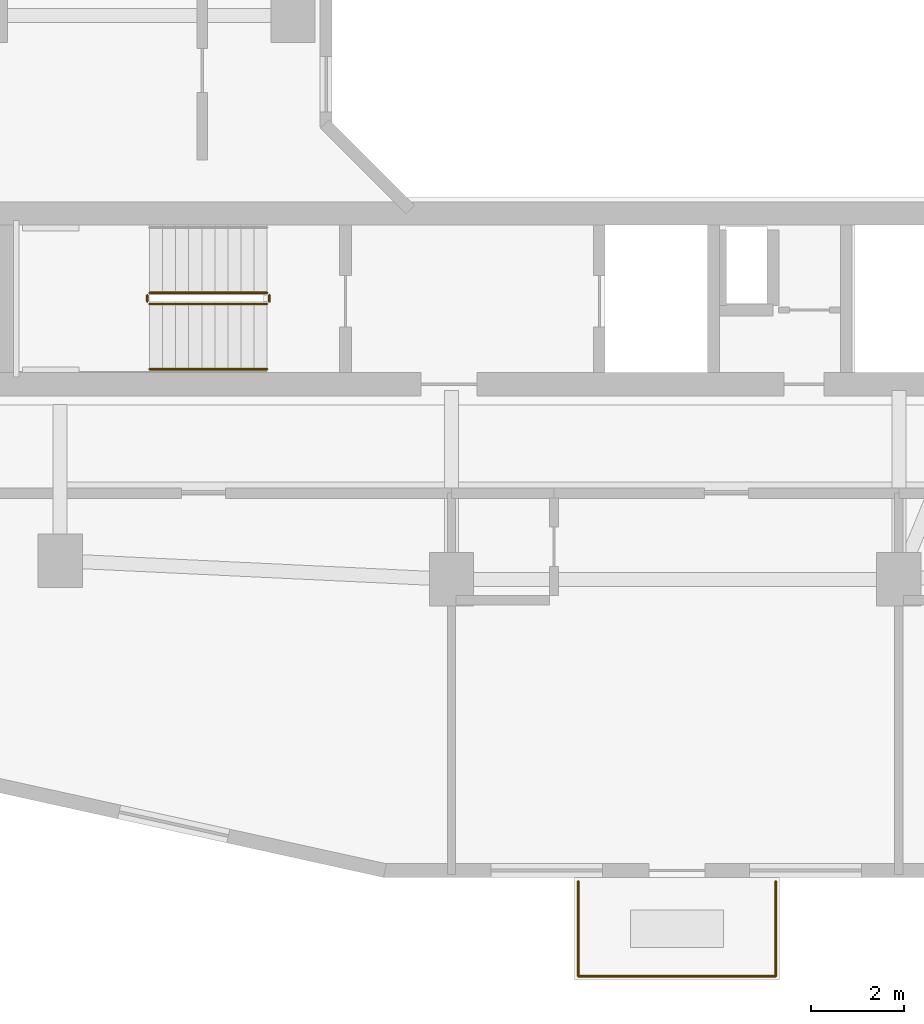
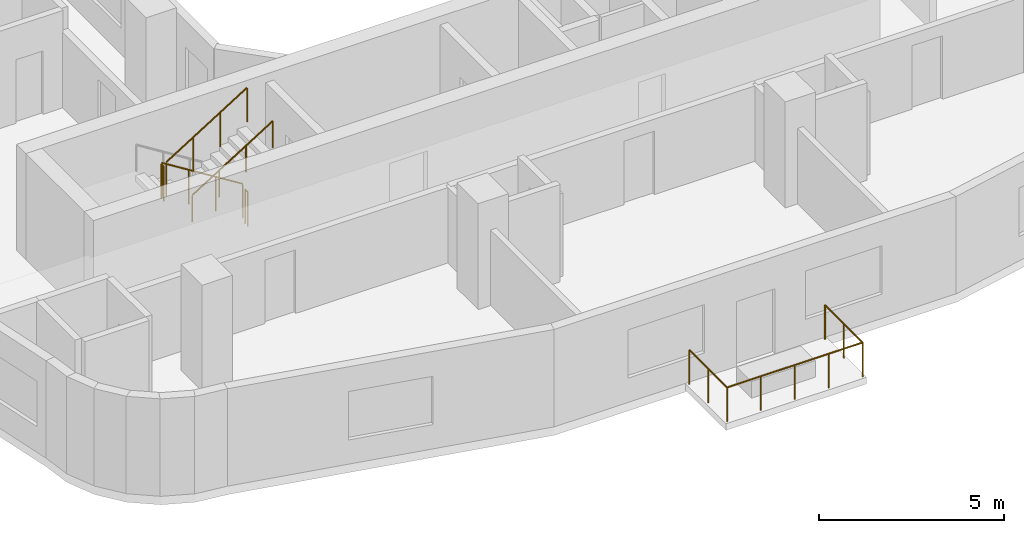
# One storey, part 18 of 22: 8 railings.
"""IFC4 building model written with IfcOpenShell, lengths in metres."""

from ifc_helpers import new_model, si_unit, derived_unit, direction, frame, origin, origin_2d, place, context, subcontext, project, spatial, circle, extrude, material, type_object, element, save


model = new_model("IFC4")

# Units and contexts
model_context = context("Model", 3, precision=1e-05, world=origin(), true_north=direction((0.0, 1.0)))
body_context = subcontext(model_context, "Body", "Model", "MODEL_VIEW")
ifc_project = project(units=[si_unit("LENGTHUNIT", "METRE"), si_unit("AREAUNIT", "SQUARE_METRE"), si_unit("VOLUMEUNIT", "CUBIC_METRE"), si_unit("PLANEANGLEUNIT", "RADIAN"), si_unit("MASSUNIT", "GRAM", prefix="KILO"), derived_unit("THERMALTRANSMITTANCEUNIT", [(si_unit("POWERUNIT", "WATT"), 1), (si_unit("LENGTHUNIT", "METRE"), -2), (si_unit("THERMODYNAMICTEMPERATUREUNIT", "KELVIN"), -1)])], contexts=[model_context])

# Site, building, storey
site_placement = place(None, origin())
site = spatial("IfcSite", under=ifc_project, at=site_placement, CompositionType="ELEMENT")
building_placement = place(site_placement, origin())
building = spatial("IfcBuilding", under=site, at=building_placement, Name="Kivonza Crest Hotel", CompositionType="ELEMENT")
storey_placement = place(building_placement, frame((0.0, 0.0, 59.0)))
storey = spatial("IfcBuildingStorey", under=building, at=storey_placement, Name="L15", CompositionType="ELEMENT", Elevation=59.0)

# Railings
ifc_material_1 = material(Name="Brushed stainless steel handrail", Category="steel")
railing_type_1 = type_object("IfcRailingType", Name="RL-HAND-900", PredefinedType="HANDRAIL", material=ifc_material_1)
railing_1_placement = place(storey_placement, frame((9.719970703125, 13.909912109375, 1.925048828125)))
element("IfcRailing", 1, at=railing_1_placement, inside=storey, type_object=railing_type_1, Name="L15 ST-T1-S stair handrail 2", PredefinedType="HANDRAIL", context=body_context, shape_type="SweptSolid", body=[
    extrude(circle(Radius=0.02392578125, at=origin_2d()), frame((0.0, 0.0, 0.8759765625), z_axis=(0.848007534815, 0.0, 0.529984170421), x_axis=(0.0, 1.0, 0.0)), (0.0, 0.0, 1.0), 2.9716796875),
    extrude(circle(Radius=0.02099609375, at=origin_2d()), origin(), (0.0, 0.0, 1.0), 0.851806640625),
    extrude(circle(Radius=0.02099609375, at=origin_2d()), frame((0.840087890625, 0.0, 0.52490234375)), (0.0, 0.0, 1.0), 0.851806640625),
    extrude(circle(Radius=0.02099609375, at=origin_2d()), frame((1.679931640625, 0.0, 1.050048828125)), (0.0, 0.0, 1.0), 0.851806640625),
    extrude(circle(Radius=0.02099609375, at=origin_2d()), frame((2.52001953125, 0.0, 1.574951171875)), (0.0, 0.0, 1.0), 0.851806640625),
])
ifc_material_2 = material(Name="Painted steel balustrade", Category="steel")
railing_type_2 = type_object("IfcRailingType", Name="RL-STAIR-1150", PredefinedType="BALUSTRADE", material=ifc_material_2)
railing_2_placement = place(storey_placement, frame((12.239990234375, 15.550048828125, 0.175048828125)))
element("IfcRailing", 2, at=railing_2_placement, inside=storey, type_object=railing_type_2, Name="L15 ST-T1-S stair guard 1", PredefinedType="BALUSTRADE", context=body_context, shape_type="SweptSolid", body=[
    extrude(circle(Radius=0.02392578125, at=origin_2d()), frame((0.0, 0.0, 1.1259765625), z_axis=(-0.848007534815, 0.0, 0.529984170421), x_axis=(0.0, -1.0, 0.0)), (0.0, 0.0, 1.0), 2.9716796875),
    extrude(circle(Radius=0.02099609375, at=origin_2d()), origin(), (0.0, 0.0, 1.0), 1.101806640625),
    extrude(circle(Radius=0.02099609375, at=origin_2d()), frame((-0.840087890625, 0.0, 0.52490234375)), (0.0, 0.0, 1.0), 1.101806640625),
    extrude(circle(Radius=0.02099609375, at=origin_2d()), frame((-1.679931640625, 0.0, 1.050048828125)), (0.0, 0.0, 1.0), 1.101806640625),
    extrude(circle(Radius=0.02099609375, at=origin_2d()), frame((-2.52001953125, 0.0, 1.574951171875)), (0.0, 0.0, 1.0), 1.101806640625),
])
railing_3_placement = place(storey_placement, frame((9.669921875, 15.5, 1.75)))
element("IfcRailing", 3, at=railing_3_placement, inside=storey, type_object=railing_type_2, Name="L15 ST-T1-S stair guard 2", PredefinedType="BALUSTRADE", context=body_context, shape_type="SweptSolid", body=[
    extrude(circle(Radius=0.02392578125, at=origin_2d()), frame((0.0, 0.0, 1.1259765625), z_axis=(0.0, -1.0, 0.0), x_axis=(1.0, 0.0, 0.0)), (0.0, 0.0, 1.0), 0.139892578125),
    extrude(circle(Radius=0.02099609375, at=origin_2d()), origin(), (0.0, 0.0, 1.0), 1.101806640625),
    extrude(circle(Radius=0.02099609375, at=origin_2d()), frame((0.0, -0.139892578125, 0.0)), (0.0, 0.0, 1.0), 1.101806640625),
])
railing_4_placement = place(storey_placement, frame((9.719970703125, 15.31005859375, 1.925048828125)))
element("IfcRailing", 4, at=railing_4_placement, inside=storey, type_object=railing_type_2, Name="L15 ST-T1-S stair guard 3", PredefinedType="BALUSTRADE", context=body_context, shape_type="SweptSolid", body=[
    extrude(circle(Radius=0.02392578125, at=origin_2d()), frame((0.0, 0.0, 1.1259765625), z_axis=(0.848007534815, 0.0, 0.529984170421), x_axis=(0.0, 1.0, 0.0)), (0.0, 0.0, 1.0), 2.9716796875),
    extrude(circle(Radius=0.02099609375, at=origin_2d()), origin(), (0.0, 0.0, 1.0), 1.101806640625),
    extrude(circle(Radius=0.02099609375, at=origin_2d()), frame((0.840087890625, 0.0, 0.52490234375)), (0.0, 0.0, 1.0), 1.101806640625),
    extrude(circle(Radius=0.02099609375, at=origin_2d()), frame((1.679931640625, 0.0, 1.050048828125)), (0.0, 0.0, 1.0), 1.101806640625),
    extrude(circle(Radius=0.02099609375, at=origin_2d()), frame((2.52001953125, 0.0, 1.574951171875)), (0.0, 0.0, 1.0), 1.101806640625),
])
railing_5_placement = place(storey_placement, frame((12.2900390625, 15.5, 0.0)))
element("IfcRailing", 5, at=railing_5_placement, inside=storey, type_object=railing_type_2, Name="L15 ST-T1-S stair guard 4", PredefinedType="BALUSTRADE", context=body_context, shape_type="SweptSolid", body=[
    extrude(circle(Radius=0.02392578125, at=origin_2d()), frame((0.0, 0.0, 1.1259765625), z_axis=(0.0, -1.0, 0.0), x_axis=(1.0, 0.0, 0.0)), (0.0, 0.0, 1.0), 0.139892578125),
    extrude(circle(Radius=0.02099609375, at=origin_2d()), origin(), (0.0, 0.0, 1.0), 1.101806640625),
    extrude(circle(Radius=0.02099609375, at=origin_2d()), frame((0.0, -0.139892578125, 0.0)), (0.0, 0.0, 1.0), 1.101806640625),
])
ifc_material_3 = material(Name="Laminated glass and stainless steel balustrade", Category="steel")
railing_type_3 = type_object("IfcRailingType", Name="RL-TERR-1150", PredefinedType="BALUSTRADE", material=ifc_material_3)
railing_6_placement = place(storey_placement, frame((18.919921875, 0.8798828125, 0.0)))
element("IfcRailing", 6, at=railing_6_placement, inside=storey, type_object=railing_type_3, Name="L15 T1-L15-SG-SW perimeter safety balustrade 1", PredefinedType="BALUSTRADE", context=body_context, shape_type="SweptSolid", body=[
    extrude(circle(Radius=0.02392578125, at=origin_2d()), frame((0.0, 0.0, 1.1259765625), z_axis=(0.0, 1.0, 0.0), x_axis=(-1.0, 0.0, 0.0)), (0.0, 0.0, 1.0), 2.0400390625),
    extrude(circle(Radius=0.02099609375, at=origin_2d()), origin(), (0.0, 0.0, 1.0), 1.101806640625),
    extrude(circle(Radius=0.02099609375, at=origin_2d()), frame((0.0, 1.02001953125, 0.0)), (0.0, 0.0, 1.0), 1.101806640625),
    extrude(circle(Radius=0.02099609375, at=origin_2d()), frame((0.0, 2.0400390625, 0.0)), (0.0, 0.0, 1.0), 1.101806640625),
])
railing_7_placement = place(storey_placement, frame((23.159912109375, 2.919921875, 0.0)))
element("IfcRailing", 7, at=railing_7_placement, inside=storey, type_object=railing_type_3, Name="L15 T1-L15-SG-SW perimeter safety balustrade 2", PredefinedType="BALUSTRADE", context=body_context, shape_type="SweptSolid", body=[
    extrude(circle(Radius=0.02392578125, at=origin_2d()), frame((0.0, 0.0, 1.1259765625), z_axis=(0.0, -1.0, 0.0), x_axis=(1.0, 0.0, 0.0)), (0.0, 0.0, 1.0), 2.0400390625),
    extrude(circle(Radius=0.02099609375, at=origin_2d()), origin(), (0.0, 0.0, 1.0), 1.101806640625),
    extrude(circle(Radius=0.02099609375, at=origin_2d()), frame((0.0, -1.02001953125, 0.0)), (0.0, 0.0, 1.0), 1.101806640625),
    extrude(circle(Radius=0.02099609375, at=origin_2d()), frame((0.0, -2.0400390625, 0.0)), (0.0, 0.0, 1.0), 1.101806640625),
])
railing_8_placement = place(storey_placement, frame((23.159912109375, 0.8798828125, 0.0)))
element("IfcRailing", 8, at=railing_8_placement, inside=storey, type_object=railing_type_3, Name="L15 T1-L15-SG-SW perimeter safety balustrade 3", PredefinedType="BALUSTRADE", context=body_context, shape_type="SweptSolid", body=[
    extrude(circle(Radius=0.02392578125, at=origin_2d()), frame((0.0, 0.0, 1.1259765625), z_axis=(-1.0, 0.0, 0.0), x_axis=(0.0, -1.0, 0.0)), (0.0, 0.0, 1.0), 4.239990234375),
    extrude(circle(Radius=0.02099609375, at=origin_2d()), origin(), (0.0, 0.0, 1.0), 1.101806640625),
    extrude(circle(Radius=0.02099609375, at=origin_2d()), frame((-1.06005859375, 0.0, 0.0)), (0.0, 0.0, 1.0), 1.101806640625),
    extrude(circle(Radius=0.02099609375, at=origin_2d()), frame((-2.1201171875, 0.0, 0.0)), (0.0, 0.0, 1.0), 1.101806640625),
    extrude(circle(Radius=0.02099609375, at=origin_2d()), frame((-3.179931640625, 0.0, 0.0)), (0.0, 0.0, 1.0), 1.101806640625),
    extrude(circle(Radius=0.02099609375, at=origin_2d()), frame((-4.239990234375, 0.0, 0.0)), (0.0, 0.0, 1.0), 1.101806640625),
])

save(model, "model.ifc")
